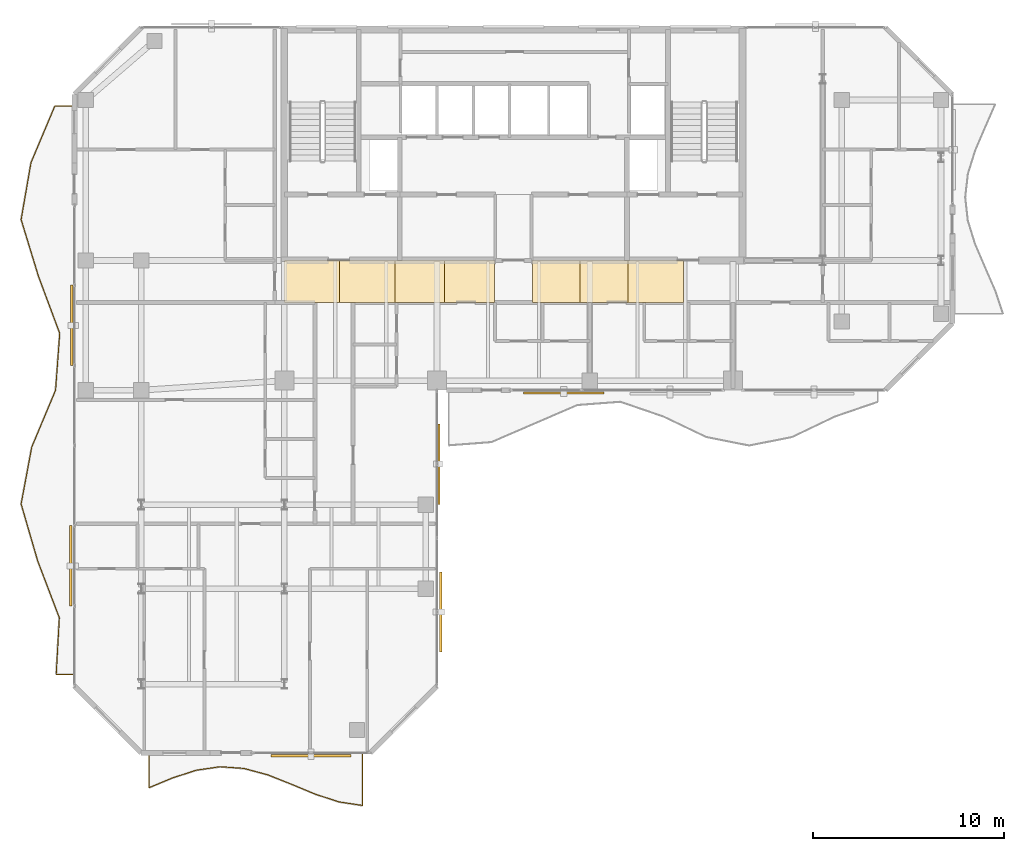
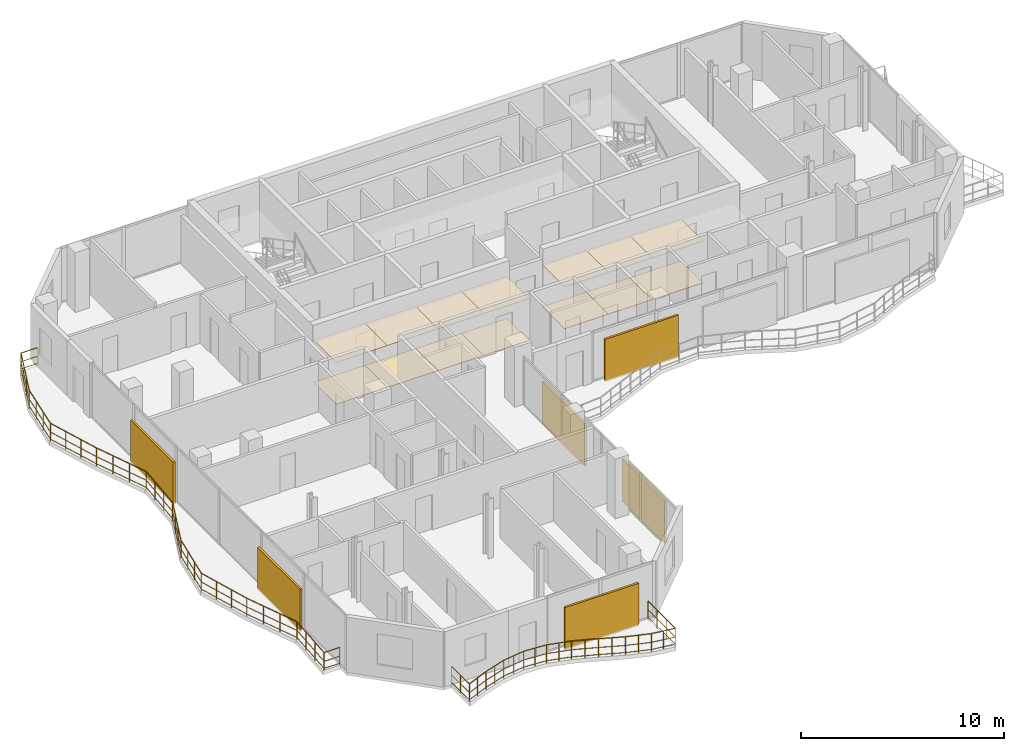
# One storey, part 22 of 24: 14 coverings, 6 shading devices, 2 railings.
"""IFC4 building model written with IfcOpenShell, lengths in metres."""

from ifc_helpers import new_model, si_unit, direction, frame, origin, origin_2d, place, context, subcontext, project, spatial, polyline, rectangle, circle, outline, extrude, material, layer, layer_set, type_object, element, save


model = new_model("IFC4")

# Units and contexts
model_context = context("Model", 3, precision=1e-05, world=origin(), true_north=direction((0.0, 1.0)))
body_context = subcontext(model_context, "Body", "Model", "MODEL_VIEW")
ifc_project = project(units=[si_unit("LENGTHUNIT", "METRE"), si_unit("AREAUNIT", "SQUARE_METRE"), si_unit("VOLUMEUNIT", "CUBIC_METRE"), si_unit("PLANEANGLEUNIT", "RADIAN"), si_unit("MASSUNIT", "GRAM", prefix="KILO")], contexts=[model_context])

# Site, building, storey
site_placement = place(None, origin())
site = spatial("IfcSite", under=ifc_project, at=site_placement, CompositionType="ELEMENT")
building_placement = place(site_placement, origin())
building = spatial("IfcBuilding", under=site, at=building_placement, Name="Catumbela Crestline Tower", CompositionType="ELEMENT")
storey_placement = place(building_placement, frame((0.0, 0.0, 161.4)))
storey = spatial("IfcBuildingStorey", under=building, at=storey_placement, Name="L41", CompositionType="ELEMENT", Elevation=161.4)

# Coverings
ifc_material_1 = material(Name="Mineral-fibre acoustic ceiling")
ifc_layer_1 = layer(ifc_material_1, 0.03, Name="Mineral-fibre acoustic ceiling")
ifc_layer_set_1 = layer_set([ifc_layer_1], Name="Mineral-fibre acoustic ceiling")
covering_type_1 = type_object("IfcCoveringType", Name="CC-AC", PredefinedType="CEILING", material=ifc_layer_set_1)
covering_1_placement = place(storey_placement, frame((0.0, 0.0, 2.52)))
element("IfcCovering", 1, at=covering_1_placement, inside=storey, type_object=covering_type_1, Name="L41 Corridor Acoustic Ceiling Bay 1", PredefinedType="CEILING", context=body_context, shape_type="SweptSolid", body=[
    extrude(outline(polyline([(16.0, 28.6), (18.9, 28.6), (18.9, 30.8), (16.0, 30.8), (16.0, 28.6)])), origin(), (0.0, 0.0, 1.0), 0.03),
])
covering_2_placement = place(storey_placement, frame((0.0, 0.0, 2.52)))
element("IfcCovering", 2, at=covering_2_placement, inside=storey, type_object=covering_type_1, Name="L41 Corridor Acoustic Ceiling Bay 2", PredefinedType="CEILING", context=body_context, shape_type="SweptSolid", body=[
    extrude(outline(polyline([(18.9, 28.6), (21.8, 28.6), (21.8, 30.8), (18.9, 30.8), (18.9, 28.6)])), origin(), (0.0, 0.0, 1.0), 0.03),
])
covering_3_placement = place(storey_placement, frame((0.0, 0.0, 2.52)))
element("IfcCovering", 3, at=covering_3_placement, inside=storey, type_object=covering_type_1, Name="L41 Corridor Acoustic Ceiling Bay 3", PredefinedType="CEILING", context=body_context, shape_type="SweptSolid", body=[
    extrude(outline(polyline([(21.8, 28.6), (24.4, 28.6), (24.4, 30.8), (21.8, 30.8), (21.8, 28.6)])), origin(), (0.0, 0.0, 1.0), 0.03),
])
covering_4_placement = place(storey_placement, frame((0.0, 0.0, 2.52)))
element("IfcCovering", 4, at=covering_4_placement, inside=storey, type_object=covering_type_1, Name="L41 Corridor Acoustic Ceiling Bay 4", PredefinedType="CEILING", context=body_context, shape_type="SweptSolid", body=[
    extrude(outline(polyline([(24.4, 28.6), (27.0, 28.6), (27.0, 30.8), (24.4, 30.8), (24.4, 28.6)])), origin(), (0.0, 0.0, 1.0), 0.03),
])
covering_5_placement = place(storey_placement, frame((0.0, 0.0, 2.52)))
element("IfcCovering", 5, at=covering_5_placement, inside=storey, type_object=covering_type_1, Name="L41 Corridor Acoustic Ceiling Bay 5", PredefinedType="CEILING", context=body_context, shape_type="SweptSolid", body=[
    extrude(outline(polyline([(29.0, 28.6), (31.5, 28.6), (31.5, 30.8), (29.0, 30.8), (29.0, 28.6)])), origin(), (0.0, 0.0, 1.0), 0.03),
])
covering_6_placement = place(storey_placement, frame((0.0, 0.0, 2.52)))
element("IfcCovering", 6, at=covering_6_placement, inside=storey, type_object=covering_type_1, Name="L41 Corridor Acoustic Ceiling Bay 6", PredefinedType="CEILING", context=body_context, shape_type="SweptSolid", body=[
    extrude(outline(polyline([(31.5, 28.6), (34.0, 28.6), (34.0, 30.8), (31.5, 30.8), (31.5, 28.6)])), origin(), (0.0, 0.0, 1.0), 0.03),
])
covering_7_placement = place(storey_placement, frame((0.0, 0.0, 2.52)))
element("IfcCovering", 7, at=covering_7_placement, inside=storey, type_object=covering_type_1, Name="L41 Corridor Acoustic Ceiling Bay 7", PredefinedType="CEILING", context=body_context, shape_type="SweptSolid", body=[
    extrude(outline(polyline([(34.0, 28.6), (36.9, 28.6), (36.9, 30.8), (34.0, 30.8), (34.0, 28.6)])), origin(), (0.0, 0.0, 1.0), 0.03),
])
ifc_material_2 = material(Name="Angolan grey-ochre granite", Category="masonry")
ifc_layer_2 = layer(ifc_material_2, 0.025, Name="Angolan grey-ochre granite")
ifc_layer_set_2 = layer_set([ifc_layer_2], Name="Angolan grey-ochre granite")
covering_type_2 = type_object("IfcCoveringType", Name="CF-GR", PredefinedType="FLOORING", material=ifc_layer_set_2)
covering_8_placement = place(storey_placement, origin())
element("IfcCovering", 8, at=covering_8_placement, inside=storey, type_object=covering_type_2, Name="L41 Corridor Granite Flooring Bay 1", PredefinedType="FLOORING", context=body_context, shape_type="SweptSolid", body=[
    extrude(outline(polyline([(16.0, 28.6), (18.9, 28.6), (18.9, 30.8), (16.0, 30.8), (16.0, 28.6)])), origin(), (0.0, 0.0, 1.0), 0.025),
])
covering_9_placement = place(storey_placement, origin())
element("IfcCovering", 9, at=covering_9_placement, inside=storey, type_object=covering_type_2, Name="L41 Corridor Granite Flooring Bay 2", PredefinedType="FLOORING", context=body_context, shape_type="SweptSolid", body=[
    extrude(outline(polyline([(18.9, 28.6), (21.8, 28.6), (21.8, 30.8), (18.9, 30.8), (18.9, 28.6)])), origin(), (0.0, 0.0, 1.0), 0.025),
])
covering_10_placement = place(storey_placement, origin())
element("IfcCovering", 10, at=covering_10_placement, inside=storey, type_object=covering_type_2, Name="L41 Corridor Granite Flooring Bay 3", PredefinedType="FLOORING", context=body_context, shape_type="SweptSolid", body=[
    extrude(outline(polyline([(21.8, 28.6), (24.4, 28.6), (24.4, 30.8), (21.8, 30.8), (21.8, 28.6)])), origin(), (0.0, 0.0, 1.0), 0.025),
])
covering_11_placement = place(storey_placement, origin())
element("IfcCovering", 11, at=covering_11_placement, inside=storey, type_object=covering_type_2, Name="L41 Corridor Granite Flooring Bay 4", PredefinedType="FLOORING", context=body_context, shape_type="SweptSolid", body=[
    extrude(outline(polyline([(24.4, 28.6), (27.0, 28.6), (27.0, 30.8), (24.4, 30.8), (24.4, 28.6)])), origin(), (0.0, 0.0, 1.0), 0.025),
])
covering_12_placement = place(storey_placement, origin())
element("IfcCovering", 12, at=covering_12_placement, inside=storey, type_object=covering_type_2, Name="L41 Corridor Granite Flooring Bay 5", PredefinedType="FLOORING", context=body_context, shape_type="SweptSolid", body=[
    extrude(outline(polyline([(29.0, 28.6), (31.5, 28.6), (31.5, 30.8), (29.0, 30.8), (29.0, 28.6)])), origin(), (0.0, 0.0, 1.0), 0.025),
])
covering_13_placement = place(storey_placement, origin())
element("IfcCovering", 13, at=covering_13_placement, inside=storey, type_object=covering_type_2, Name="L41 Corridor Granite Flooring Bay 6", PredefinedType="FLOORING", context=body_context, shape_type="SweptSolid", body=[
    extrude(outline(polyline([(31.5, 28.6), (34.0, 28.6), (34.0, 30.8), (31.5, 30.8), (31.5, 28.6)])), origin(), (0.0, 0.0, 1.0), 0.025),
])
covering_14_placement = place(storey_placement, origin())
element("IfcCovering", 14, at=covering_14_placement, inside=storey, type_object=covering_type_2, Name="L41 Corridor Granite Flooring Bay 7", PredefinedType="FLOORING", context=body_context, shape_type="SweptSolid", body=[
    extrude(outline(polyline([(34.0, 28.6), (36.9, 28.6), (36.9, 30.8), (34.0, 30.8), (34.0, 28.6)])), origin(), (0.0, 0.0, 1.0), 0.025),
])

# Railings
ifc_material_3 = material(Name="Stainless steel EN 1.4401", Category="steel")
railing_type = type_object("IfcRailingType", Name="RB-1100", PredefinedType="BALUSTRADE", material=ifc_material_3)
railing_1_placement = place(storey_placement, frame((8.9, 4.94, 0.0)))
element("IfcRailing", 15, at=railing_1_placement, inside=storey, type_object=railing_type, Name="L41 Private Wave Balcony Balustrade 3", PredefinedType="BALUSTRADE", context=body_context, shape_type="SweptSolid", body=[
    extrude(circle(Radius=0.024, at=origin_2d()), frame((0.0, 0.0, 1.076), z_axis=(0.0, -1.0, 0.0), x_axis=(1.0, 0.0, 0.0)), (0.0, 0.0, 1.0), 1.7666),
    extrude(circle(Radius=0.0156, at=origin_2d()), frame((0.0, 0.0, 0.55), z_axis=(0.0, -1.0, 0.0), x_axis=(1.0, 0.0, 0.0)), (0.0, 0.0, 1.0), 1.7666),
    extrude(circle(Radius=0.0156, at=origin_2d()), frame((0.0, 0.0, 0.12), z_axis=(0.0, -1.0, 0.0), x_axis=(1.0, 0.0, 0.0)), (0.0, 0.0, 1.0), 1.7666),
    extrude(circle(Radius=0.024, at=origin_2d()), frame((0.0, -1.7666, 1.076), z_axis=(0.923287517011, 0.384109568914, 0.0), x_axis=(-0.384109568914, 0.923287517011, 0.0)), (0.0, 0.0, 1.0), 1.3478),
    extrude(circle(Radius=0.0156, at=origin_2d()), frame((0.0, -1.7666, 0.55), z_axis=(0.923287517011, 0.384109568914, 0.0), x_axis=(-0.384109568914, 0.923287517011, 0.0)), (0.0, 0.0, 1.0), 1.3478),
    extrude(circle(Radius=0.0156, at=origin_2d()), frame((0.0, -1.7666, 0.12), z_axis=(0.923287517011, 0.384109568914, 0.0), x_axis=(-0.384109568914, 0.923287517011, 0.0)), (0.0, 0.0, 1.0), 1.3478),
    extrude(circle(Radius=0.024, at=origin_2d()), frame((1.2444, -1.2489, 1.076), z_axis=(0.951339765212, 0.30814388056, 0.0), x_axis=(-0.30814388056, 0.951339765212, 0.0)), (0.0, 0.0, 1.0), 1.3082),
    extrude(circle(Radius=0.0156, at=origin_2d()), frame((1.2444, -1.2489, 0.55), z_axis=(0.951339765212, 0.30814388056, 0.0), x_axis=(-0.30814388056, 0.951339765212, 0.0)), (0.0, 0.0, 1.0), 1.3082),
    extrude(circle(Radius=0.0156, at=origin_2d()), frame((1.2444, -1.2489, 0.12), z_axis=(0.951339765212, 0.30814388056, 0.0), x_axis=(-0.30814388056, 0.951339765212, 0.0)), (0.0, 0.0, 1.0), 1.3082),
    extrude(circle(Radius=0.024, at=origin_2d()), frame((2.4889, -0.8458, 1.076), z_axis=(0.989530142127, 0.144326358724, 0.0), x_axis=(-0.144326358724, 0.989530142127, 0.0)), (0.0, 0.0, 1.0), 1.2576),
    extrude(circle(Radius=0.0156, at=origin_2d()), frame((2.4889, -0.8458, 0.55), z_axis=(0.989530142127, 0.144326358724, 0.0), x_axis=(-0.144326358724, 0.989530142127, 0.0)), (0.0, 0.0, 1.0), 1.2576),
    extrude(circle(Radius=0.0156, at=origin_2d()), frame((2.4889, -0.8458, 0.12), z_axis=(0.989530142127, 0.144326358724, 0.0), x_axis=(-0.144326358724, 0.989530142127, 0.0)), (0.0, 0.0, 1.0), 1.2576),
    extrude(circle(Radius=0.024, at=origin_2d()), frame((3.7333, -0.6643, 1.076), z_axis=(0.997492357437, -0.070774266904, 0.0), x_axis=(0.070774266904, 0.997492357437, 0.0)), (0.0, 0.0, 1.0), 1.2476),
    extrude(circle(Radius=0.0156, at=origin_2d()), frame((3.7333, -0.6643, 0.55), z_axis=(0.997492357437, -0.070774266904, 0.0), x_axis=(0.070774266904, 0.997492357437, 0.0)), (0.0, 0.0, 1.0), 1.2476),
    extrude(circle(Radius=0.0156, at=origin_2d()), frame((3.7333, -0.6643, 0.12), z_axis=(0.997492357437, -0.070774266904, 0.0), x_axis=(0.070774266904, 0.997492357437, 0.0)), (0.0, 0.0, 1.0), 1.2476),
    extrude(circle(Radius=0.024, at=origin_2d()), frame((4.9778, -0.7526, 1.076), z_axis=(0.965699627177, -0.259661760892, 0.0), x_axis=(0.259661760892, 0.965699627177, 0.0)), (0.0, 0.0, 1.0), 1.2886),
    extrude(circle(Radius=0.0156, at=origin_2d()), frame((4.9778, -0.7526, 0.55), z_axis=(0.965699627177, -0.259661760892, 0.0), x_axis=(0.259661760892, 0.965699627177, 0.0)), (0.0, 0.0, 1.0), 1.2886),
    extrude(circle(Radius=0.0156, at=origin_2d()), frame((4.9778, -0.7526, 0.12), z_axis=(0.965699627177, -0.259661760892, 0.0), x_axis=(0.259661760892, 0.965699627177, 0.0)), (0.0, 0.0, 1.0), 1.2886),
    extrude(circle(Radius=0.024, at=origin_2d()), frame((6.2222, -1.0872, 1.076), z_axis=(0.929938140498, -0.36771599754, 0.0), x_axis=(0.36771599754, 0.929938140498, 0.0)), (0.0, 0.0, 1.0), 1.3383),
    extrude(circle(Radius=0.0156, at=origin_2d()), frame((6.2222, -1.0872, 0.55), z_axis=(0.929938140498, -0.36771599754, 0.0), x_axis=(0.36771599754, 0.929938140498, 0.0)), (0.0, 0.0, 1.0), 1.3383),
    extrude(circle(Radius=0.0156, at=origin_2d()), frame((6.2222, -1.0872, 0.12), z_axis=(0.929938140498, -0.36771599754, 0.0), x_axis=(0.36771599754, 0.929938140498, 0.0)), (0.0, 0.0, 1.0), 1.3383),
    extrude(circle(Radius=0.024, at=origin_2d()), frame((7.4667, -1.5793, 1.076), z_axis=(0.92299790371, -0.38480497625, 0.0), x_axis=(0.38480497625, 0.92299790371, 0.0)), (0.0, 0.0, 1.0), 1.3482),
    extrude(circle(Radius=0.0156, at=origin_2d()), frame((7.4667, -1.5793, 0.55), z_axis=(0.92299790371, -0.38480497625, 0.0), x_axis=(0.38480497625, 0.92299790371, 0.0)), (0.0, 0.0, 1.0), 1.3482),
    extrude(circle(Radius=0.0156, at=origin_2d()), frame((7.4667, -1.5793, 0.12), z_axis=(0.92299790371, -0.38480497625, 0.0), x_axis=(0.38480497625, 0.92299790371, 0.0)), (0.0, 0.0, 1.0), 1.3482),
    extrude(circle(Radius=0.024, at=origin_2d()), frame((8.7111, -2.0981, 1.076), z_axis=(0.950282150151, -0.311390165393, 0.0), x_axis=(0.311390165393, 0.950282150151, 0.0)), (0.0, 0.0, 1.0), 1.3096),
    extrude(circle(Radius=0.0156, at=origin_2d()), frame((8.7111, -2.0981, 0.55), z_axis=(0.950282150151, -0.311390165393, 0.0), x_axis=(0.311390165393, 0.950282150151, 0.0)), (0.0, 0.0, 1.0), 1.3096),
    extrude(circle(Radius=0.0156, at=origin_2d()), frame((8.7111, -2.0981, 0.12), z_axis=(0.950282150151, -0.311390165393, 0.0), x_axis=(0.311390165393, 0.950282150151, 0.0)), (0.0, 0.0, 1.0), 1.3096),
    extrude(circle(Radius=0.024, at=origin_2d()), frame((9.9556, -2.5059, 1.076), z_axis=(0.98873261545, -0.149692401761, 0.0), x_axis=(0.149692401761, 0.98873261545, 0.0)), (0.0, 0.0, 1.0), 1.2586),
    extrude(circle(Radius=0.0156, at=origin_2d()), frame((9.9556, -2.5059, 0.55), z_axis=(0.98873261545, -0.149692401761, 0.0), x_axis=(0.149692401761, 0.98873261545, 0.0)), (0.0, 0.0, 1.0), 1.2586),
    extrude(circle(Radius=0.0156, at=origin_2d()), frame((9.9556, -2.5059, 0.12), z_axis=(0.98873261545, -0.149692401761, 0.0), x_axis=(0.149692401761, 0.98873261545, 0.0)), (0.0, 0.0, 1.0), 1.2586),
    extrude(circle(Radius=0.024, at=origin_2d()), frame((11.2, -2.6943, 1.076), z_axis=(0.0, 1.0, 0.0), x_axis=(-1.0, 0.0, 0.0)), (0.0, 0.0, 1.0), 2.6943),
    extrude(circle(Radius=0.0156, at=origin_2d()), frame((11.2, -2.6943, 0.55), z_axis=(0.0, 1.0, 0.0), x_axis=(-1.0, 0.0, 0.0)), (0.0, 0.0, 1.0), 2.6943),
    extrude(circle(Radius=0.0156, at=origin_2d()), frame((11.2, -2.6943, 0.12), z_axis=(0.0, 1.0, 0.0), x_axis=(-1.0, 0.0, 0.0)), (0.0, 0.0, 1.0), 2.6943),
    extrude(circle(Radius=0.021, at=origin_2d()), origin(), (0.0, 0.0, 1.0), 1.052),
    extrude(circle(Radius=0.021, at=origin_2d()), frame((0.0, -0.8833, 0.0)), (0.0, 0.0, 1.0), 1.052),
    extrude(circle(Radius=0.021, at=origin_2d()), frame((0.0, -1.7666, 0.0)), (0.0, 0.0, 1.0), 1.052),
    extrude(circle(Radius=0.021, at=origin_2d()), frame((0.6222, -1.5078, 0.0)), (0.0, 0.0, 1.0), 1.052),
    extrude(circle(Radius=0.021, at=origin_2d()), frame((1.2444, -1.2489, 0.0)), (0.0, 0.0, 1.0), 1.052),
    extrude(circle(Radius=0.021, at=origin_2d()), frame((1.8666, -1.0474, 0.0)), (0.0, 0.0, 1.0), 1.052),
    extrude(circle(Radius=0.021, at=origin_2d()), frame((2.4889, -0.8458, 0.0)), (0.0, 0.0, 1.0), 1.052),
    extrude(circle(Radius=0.021, at=origin_2d()), frame((3.1111, -0.7551, 0.0)), (0.0, 0.0, 1.0), 1.052),
    extrude(circle(Radius=0.021, at=origin_2d()), frame((3.7333, -0.6643, 0.0)), (0.0, 0.0, 1.0), 1.052),
    extrude(circle(Radius=0.021, at=origin_2d()), frame((4.3556, -0.7085, 0.0)), (0.0, 0.0, 1.0), 1.052),
    extrude(circle(Radius=0.021, at=origin_2d()), frame((4.9778, -0.7526, 0.0)), (0.0, 0.0, 1.0), 1.052),
    extrude(circle(Radius=0.021, at=origin_2d()), frame((5.6, -0.9199, 0.0)), (0.0, 0.0, 1.0), 1.052),
    extrude(circle(Radius=0.021, at=origin_2d()), frame((6.2222, -1.0872, 0.0)), (0.0, 0.0, 1.0), 1.052),
    extrude(circle(Radius=0.021, at=origin_2d()), frame((6.8444, -1.3333, 0.0)), (0.0, 0.0, 1.0), 1.052),
    extrude(circle(Radius=0.021, at=origin_2d()), frame((7.4667, -1.5793, 0.0)), (0.0, 0.0, 1.0), 1.052),
    extrude(circle(Radius=0.021, at=origin_2d()), frame((8.0889, -1.8387, 0.0)), (0.0, 0.0, 1.0), 1.052),
    extrude(circle(Radius=0.021, at=origin_2d()), frame((8.7111, -2.0981, 0.0)), (0.0, 0.0, 1.0), 1.052),
    extrude(circle(Radius=0.021, at=origin_2d()), frame((9.3334, -2.302, 0.0)), (0.0, 0.0, 1.0), 1.052),
    extrude(circle(Radius=0.021, at=origin_2d()), frame((9.9556, -2.5059, 0.0)), (0.0, 0.0, 1.0), 1.052),
    extrude(circle(Radius=0.021, at=origin_2d()), frame((10.5778, -2.6001, 0.0)), (0.0, 0.0, 1.0), 1.052),
    extrude(circle(Radius=0.021, at=origin_2d()), frame((11.2, -2.6943, 0.0)), (0.0, 0.0, 1.0), 1.052),
    extrude(circle(Radius=0.021, at=origin_2d()), frame((11.2, -1.7962, 0.0)), (0.0, 0.0, 1.0), 1.052),
    extrude(circle(Radius=0.021, at=origin_2d()), frame((11.2, -0.8981, 0.0)), (0.0, 0.0, 1.0), 1.052),
    extrude(circle(Radius=0.021, at=origin_2d()), frame((11.2, 0.0, 0.0)), (0.0, 0.0, 1.0), 1.052),
])
railing_2_placement = place(storey_placement, frame((4.94, 38.9, 0.0)))
element("IfcRailing", 16, at=railing_2_placement, inside=storey, type_object=railing_type, Name="L41 Private Wave Balcony Balustrade 4", PredefinedType="BALUSTRADE", context=body_context, shape_type="SweptSolid", body=[
    extrude(circle(Radius=0.024, at=origin_2d()), frame((0.0, 0.0, 1.076), z_axis=(-1.0, 0.0, 0.0), x_axis=(0.0, -1.0, 0.0)), (0.0, 0.0, 1.0), 0.9588),
    extrude(circle(Radius=0.0156, at=origin_2d()), frame((0.0, 0.0, 0.55), z_axis=(-1.0, 0.0, 0.0), x_axis=(0.0, -1.0, 0.0)), (0.0, 0.0, 1.0), 0.9588),
    extrude(circle(Radius=0.0156, at=origin_2d()), frame((0.0, 0.0, 0.12), z_axis=(-1.0, 0.0, 0.0), x_axis=(0.0, -1.0, 0.0)), (0.0, 0.0, 1.0), 0.9588),
    extrude(circle(Radius=0.024, at=origin_2d()), frame((-0.9588, 0.0, 1.076), z_axis=(-0.388126128532, -0.92160626536, 0.0), x_axis=(0.92160626536, -0.388126128532, 0.0)), (0.0, 0.0, 1.0), 3.2335),
    extrude(circle(Radius=0.0156, at=origin_2d()), frame((-0.9588, 0.0, 0.55), z_axis=(-0.388126128532, -0.92160626536, 0.0), x_axis=(0.92160626536, -0.388126128532, 0.0)), (0.0, 0.0, 1.0), 3.2335),
    extrude(circle(Radius=0.0156, at=origin_2d()), frame((-0.9588, 0.0, 0.12), z_axis=(-0.388126128532, -0.92160626536, 0.0), x_axis=(0.92160626536, -0.388126128532, 0.0)), (0.0, 0.0, 1.0), 3.2335),
    extrude(circle(Radius=0.024, at=origin_2d()), frame((-2.2138, -2.98, 1.076), z_axis=(-0.170679721807, -0.985326561381, 0.0), x_axis=(0.985326561381, -0.170679721807, 0.0)), (0.0, 0.0, 1.0), 3.0244),
    extrude(circle(Radius=0.0156, at=origin_2d()), frame((-2.2138, -2.98, 0.55), z_axis=(-0.170679721807, -0.985326561381, 0.0), x_axis=(0.985326561381, -0.170679721807, 0.0)), (0.0, 0.0, 1.0), 3.0244),
    extrude(circle(Radius=0.0156, at=origin_2d()), frame((-2.2138, -2.98, 0.12), z_axis=(-0.170679721807, -0.985326561381, 0.0), x_axis=(0.985326561381, -0.170679721807, 0.0)), (0.0, 0.0, 1.0), 3.0244),
    extrude(circle(Radius=0.024, at=origin_2d()), frame((-2.73, -5.96, 1.076), z_axis=(0.292642421553, -0.956221947619, 0.0), x_axis=(0.956221947619, 0.292642421553, 0.0)), (0.0, 0.0, 1.0), 3.1164),
    extrude(circle(Radius=0.0156, at=origin_2d()), frame((-2.73, -5.96, 0.55), z_axis=(0.292642421553, -0.956221947619, 0.0), x_axis=(0.956221947619, 0.292642421553, 0.0)), (0.0, 0.0, 1.0), 3.1164),
    extrude(circle(Radius=0.0156, at=origin_2d()), frame((-2.73, -5.96, 0.12), z_axis=(0.292642421553, -0.956221947619, 0.0), x_axis=(0.956221947619, 0.292642421553, 0.0)), (0.0, 0.0, 1.0), 3.1164),
    extrude(circle(Radius=0.024, at=origin_2d()), frame((-1.818, -8.94, 1.076), z_axis=(0.349110106043, -0.93708171141, 0.0), x_axis=(0.93708171141, 0.349110106043, 0.0)), (0.0, 0.0, 1.0), 3.1801),
    extrude(circle(Radius=0.0156, at=origin_2d()), frame((-1.818, -8.94, 0.55), z_axis=(0.349110106043, -0.93708171141, 0.0), x_axis=(0.93708171141, 0.349110106043, 0.0)), (0.0, 0.0, 1.0), 3.1801),
    extrude(circle(Radius=0.0156, at=origin_2d()), frame((-1.818, -8.94, 0.12), z_axis=(0.349110106043, -0.93708171141, 0.0), x_axis=(0.93708171141, 0.349110106043, 0.0)), (0.0, 0.0, 1.0), 3.1801),
    extrude(circle(Radius=0.024, at=origin_2d()), frame((-0.7078, -11.92, 1.076), z_axis=(-0.072926109992, -0.997337346379, 0.0), x_axis=(0.997337346379, -0.072926109992, 0.0)), (0.0, 0.0, 1.0), 2.988),
    extrude(circle(Radius=0.0156, at=origin_2d()), frame((-0.7078, -11.92, 0.55), z_axis=(-0.072926109992, -0.997337346379, 0.0), x_axis=(0.997337346379, -0.072926109992, 0.0)), (0.0, 0.0, 1.0), 2.988),
    extrude(circle(Radius=0.0156, at=origin_2d()), frame((-0.7078, -11.92, 0.12), z_axis=(-0.072926109992, -0.997337346379, 0.0), x_axis=(0.997337346379, -0.072926109992, 0.0)), (0.0, 0.0, 1.0), 2.988),
    extrude(circle(Radius=0.024, at=origin_2d()), frame((-0.9257, -14.9, 1.076), z_axis=(-0.386364078841, -0.922346355, 0.0), x_axis=(0.922346355, -0.386364078841, 0.0)), (0.0, 0.0, 1.0), 3.2309),
    extrude(circle(Radius=0.0156, at=origin_2d()), frame((-0.9257, -14.9, 0.55), z_axis=(-0.386364078841, -0.922346355, 0.0), x_axis=(0.922346355, -0.386364078841, 0.0)), (0.0, 0.0, 1.0), 3.2309),
    extrude(circle(Radius=0.0156, at=origin_2d()), frame((-0.9257, -14.9, 0.12), z_axis=(-0.386364078841, -0.922346355, 0.0), x_axis=(0.922346355, -0.386364078841, 0.0)), (0.0, 0.0, 1.0), 3.2309),
    extrude(circle(Radius=0.024, at=origin_2d()), frame((-2.174, -17.88, 1.076), z_axis=(-0.183412106948, -0.983036112778, 0.0), x_axis=(0.983036112778, -0.183412106948, 0.0)), (0.0, 0.0, 1.0), 3.0314),
    extrude(circle(Radius=0.0156, at=origin_2d()), frame((-2.174, -17.88, 0.55), z_axis=(-0.183412106948, -0.983036112778, 0.0), x_axis=(0.983036112778, -0.183412106948, 0.0)), (0.0, 0.0, 1.0), 3.0314),
    extrude(circle(Radius=0.0156, at=origin_2d()), frame((-2.174, -17.88, 0.12), z_axis=(-0.183412106948, -0.983036112778, 0.0), x_axis=(0.983036112778, -0.183412106948, 0.0)), (0.0, 0.0, 1.0), 3.0314),
    extrude(circle(Radius=0.024, at=origin_2d()), frame((-2.73, -20.86, 1.076), z_axis=(0.279445663044, -0.96016150798, 0.0), x_axis=(0.96016150798, 0.279445663044, 0.0)), (0.0, 0.0, 1.0), 3.1036),
    extrude(circle(Radius=0.0156, at=origin_2d()), frame((-2.73, -20.86, 0.55), z_axis=(0.279445663044, -0.96016150798, 0.0), x_axis=(0.96016150798, 0.279445663044, 0.0)), (0.0, 0.0, 1.0), 3.1036),
    extrude(circle(Radius=0.0156, at=origin_2d()), frame((-2.73, -20.86, 0.12), z_axis=(0.279445663044, -0.96016150798, 0.0), x_axis=(0.96016150798, 0.279445663044, 0.0)), (0.0, 0.0, 1.0), 3.1036),
    extrude(circle(Radius=0.024, at=origin_2d()), frame((-1.8627, -23.84, 1.076), z_axis=(0.355738394707, -0.93458557368, 0.0), x_axis=(0.93458557368, 0.355738394707, 0.0)), (0.0, 0.0, 1.0), 3.1886),
    extrude(circle(Radius=0.0156, at=origin_2d()), frame((-1.8627, -23.84, 0.55), z_axis=(0.355738394707, -0.93458557368, 0.0), x_axis=(0.93458557368, 0.355738394707, 0.0)), (0.0, 0.0, 1.0), 3.1886),
    extrude(circle(Radius=0.0156, at=origin_2d()), frame((-1.8627, -23.84, 0.12), z_axis=(0.355738394707, -0.93458557368, 0.0), x_axis=(0.93458557368, 0.355738394707, 0.0)), (0.0, 0.0, 1.0), 3.1886),
    extrude(circle(Radius=0.024, at=origin_2d()), frame((-0.7284, -26.82, 1.076), z_axis=(-0.055484865065, -0.998459528348, 0.0), x_axis=(0.998459528348, -0.055484865065, 0.0)), (0.0, 0.0, 1.0), 2.9846),
    extrude(circle(Radius=0.0156, at=origin_2d()), frame((-0.7284, -26.82, 0.55), z_axis=(-0.055484865065, -0.998459528348, 0.0), x_axis=(0.998459528348, -0.055484865065, 0.0)), (0.0, 0.0, 1.0), 2.9846),
    extrude(circle(Radius=0.0156, at=origin_2d()), frame((-0.7284, -26.82, 0.12), z_axis=(-0.055484865065, -0.998459528348, 0.0), x_axis=(0.998459528348, -0.055484865065, 0.0)), (0.0, 0.0, 1.0), 2.9846),
    extrude(circle(Radius=0.024, at=origin_2d()), frame((-0.894, -29.8, 1.076), z_axis=(1.0, 0.0, 0.0), x_axis=(0.0, 1.0, 0.0)), (0.0, 0.0, 1.0), 0.894),
    extrude(circle(Radius=0.0156, at=origin_2d()), frame((-0.894, -29.8, 0.55), z_axis=(1.0, 0.0, 0.0), x_axis=(0.0, 1.0, 0.0)), (0.0, 0.0, 1.0), 0.894),
    extrude(circle(Radius=0.0156, at=origin_2d()), frame((-0.894, -29.8, 0.12), z_axis=(1.0, 0.0, 0.0), x_axis=(0.0, 1.0, 0.0)), (0.0, 0.0, 1.0), 0.894),
    extrude(circle(Radius=0.021, at=origin_2d()), origin(), (0.0, 0.0, 1.0), 1.052),
    extrude(circle(Radius=0.021, at=origin_2d()), frame((-0.9588, 0.0, 0.0)), (0.0, 0.0, 1.0), 1.052),
    extrude(circle(Radius=0.021, at=origin_2d()), frame((-1.3771, -0.9933, 0.0)), (0.0, 0.0, 1.0), 1.052),
    extrude(circle(Radius=0.021, at=origin_2d()), frame((-1.7955, -1.9867, 0.0)), (0.0, 0.0, 1.0), 1.052),
    extrude(circle(Radius=0.021, at=origin_2d()), frame((-2.2138, -2.98, 0.0)), (0.0, 0.0, 1.0), 1.052),
    extrude(circle(Radius=0.021, at=origin_2d()), frame((-2.3859, -3.9733, 0.0)), (0.0, 0.0, 1.0), 1.052),
    extrude(circle(Radius=0.021, at=origin_2d()), frame((-2.5579, -4.9667, 0.0)), (0.0, 0.0, 1.0), 1.052),
    extrude(circle(Radius=0.021, at=origin_2d()), frame((-2.73, -5.96, 0.0)), (0.0, 0.0, 1.0), 1.052),
    extrude(circle(Radius=0.021, at=origin_2d()), frame((-2.426, -6.9533, 0.0)), (0.0, 0.0, 1.0), 1.052),
    extrude(circle(Radius=0.021, at=origin_2d()), frame((-2.122, -7.9467, 0.0)), (0.0, 0.0, 1.0), 1.052),
    extrude(circle(Radius=0.021, at=origin_2d()), frame((-1.818, -8.94, 0.0)), (0.0, 0.0, 1.0), 1.052),
    extrude(circle(Radius=0.021, at=origin_2d()), frame((-1.4479, -9.9333, 0.0)), (0.0, 0.0, 1.0), 1.052),
    extrude(circle(Radius=0.021, at=origin_2d()), frame((-1.0779, -10.9267, 0.0)), (0.0, 0.0, 1.0), 1.052),
    extrude(circle(Radius=0.021, at=origin_2d()), frame((-0.7078, -11.92, 0.0)), (0.0, 0.0, 1.0), 1.052),
    extrude(circle(Radius=0.021, at=origin_2d()), frame((-0.7804, -12.9133, 0.0)), (0.0, 0.0, 1.0), 1.052),
    extrude(circle(Radius=0.021, at=origin_2d()), frame((-0.8531, -13.9067, 0.0)), (0.0, 0.0, 1.0), 1.052),
    extrude(circle(Radius=0.021, at=origin_2d()), frame((-0.9257, -14.9, 0.0)), (0.0, 0.0, 1.0), 1.052),
    extrude(circle(Radius=0.021, at=origin_2d()), frame((-1.3418, -15.8933, 0.0)), (0.0, 0.0, 1.0), 1.052),
    extrude(circle(Radius=0.021, at=origin_2d()), frame((-1.7579, -16.8867, 0.0)), (0.0, 0.0, 1.0), 1.052),
    extrude(circle(Radius=0.021, at=origin_2d()), frame((-2.174, -17.88, 0.0)), (0.0, 0.0, 1.0), 1.052),
    extrude(circle(Radius=0.021, at=origin_2d()), frame((-2.3593, -18.8733, 0.0)), (0.0, 0.0, 1.0), 1.052),
    extrude(circle(Radius=0.021, at=origin_2d()), frame((-2.5447, -19.8667, 0.0)), (0.0, 0.0, 1.0), 1.052),
    extrude(circle(Radius=0.021, at=origin_2d()), frame((-2.73, -20.86, 0.0)), (0.0, 0.0, 1.0), 1.052),
    extrude(circle(Radius=0.021, at=origin_2d()), frame((-2.4409, -21.8533, 0.0)), (0.0, 0.0, 1.0), 1.052),
    extrude(circle(Radius=0.021, at=origin_2d()), frame((-2.1518, -22.8467, 0.0)), (0.0, 0.0, 1.0), 1.052),
    extrude(circle(Radius=0.021, at=origin_2d()), frame((-1.8627, -23.84, 0.0)), (0.0, 0.0, 1.0), 1.052),
    extrude(circle(Radius=0.021, at=origin_2d()), frame((-1.4846, -24.8333, 0.0)), (0.0, 0.0, 1.0), 1.052),
    extrude(circle(Radius=0.021, at=origin_2d()), frame((-1.1065, -25.8267, 0.0)), (0.0, 0.0, 1.0), 1.052),
    extrude(circle(Radius=0.021, at=origin_2d()), frame((-0.7284, -26.82, 0.0)), (0.0, 0.0, 1.0), 1.052),
    extrude(circle(Radius=0.021, at=origin_2d()), frame((-0.7836, -27.8133, 0.0)), (0.0, 0.0, 1.0), 1.052),
    extrude(circle(Radius=0.021, at=origin_2d()), frame((-0.8388, -28.8067, 0.0)), (0.0, 0.0, 1.0), 1.052),
    extrude(circle(Radius=0.021, at=origin_2d()), frame((-0.894, -29.8, 0.0)), (0.0, 0.0, 1.0), 1.052),
    extrude(circle(Radius=0.021, at=origin_2d()), frame((0.0, -29.8, 0.0)), (0.0, 0.0, 1.0), 1.052),
])

# Shading devices
ifc_material_4 = material(Name="Extruded terracotta ceramic", Category="masonry")
shading_device_type_1 = type_object("IfcShadingDeviceType", Name="ST-180", PredefinedType="USERDEFINED", material=ifc_material_4)
shading_device_placement = place(storey_placement, frame((24.099, 20.125, -0.1), z_axis=(0.0, 0.0, 1.0), x_axis=(0.0, 1.0, 0.0)))
element("IfcShadingDevice", 17, at=shading_device_placement, inside=storey, type_object=shading_device_type_1, Name="L41 Perforated Terracotta Solar Screen 450 (180 mm)", ObjectType="SCREEN", PredefinedType="USERDEFINED", context=body_context, shape_type="SweptSolid", body=[
    extrude(rectangle(XDim=4.2, YDim=0.12, at=origin_2d()), origin(), (0.0, 0.0, 1.0), 2.55),
])
shading_device_type_2 = type_object("IfcShadingDeviceType", Name="ST-260", PredefinedType="USERDEFINED", material=ifc_material_4)
for number, where, z_axis, x_axis, name in (
    (18, (17.4, 4.857, -0.1), (0.0, 0.0, 1.0), (1.0, 0.0, 0.0), "L41 Perforated Terracotta Solar Screen 448 (260 mm)"),
    (19, (30.6375, 23.857, -0.1), (0.0, 0.0, 1.0), (1.0, 0.0, 0.0), "L41 Perforated Terracotta Solar Screen 451 (260 mm)"),
    (20, (4.857, 27.4, -0.1), (0.0, 0.0, 1.0), (0.0, -1.0, 0.0), "L41 Perforated Terracotta Solar Screen 457 (260 mm)"),
):
    element("IfcShadingDevice", number, at=place(storey_placement, frame(where, z_axis=z_axis, x_axis=x_axis)), inside=storey, type_object=shading_device_type_2, Name=name, ObjectType="SCREEN", PredefinedType="USERDEFINED", context=body_context, shape_type="SweptSolid", body=[
        extrude(rectangle(XDim=4.2, YDim=0.12, at=origin_2d()), origin(), (0.0, 0.0, 1.0), 2.55),
    ])
shading_device_type_3 = type_object("IfcShadingDeviceType", Name="ST-340", PredefinedType="USERDEFINED", material=ifc_material_4)
for number, where, z_axis, x_axis, name in (
    (21, (24.187, 12.375, -0.1), (0.0, 0.0, 1.0), (0.0, 1.0, 0.0), "L41 Perforated Terracotta Solar Screen 449 (340 mm)"),
    (22, (4.813, 14.8, -0.1), (0.0, 0.0, 1.0), (0.0, -1.0, 0.0), "L41 Perforated Terracotta Solar Screen 458 (340 mm)"),
):
    element("IfcShadingDevice", number, at=place(storey_placement, frame(where, z_axis=z_axis, x_axis=x_axis)), inside=storey, type_object=shading_device_type_3, Name=name, ObjectType="SCREEN", PredefinedType="USERDEFINED", context=body_context, shape_type="SweptSolid", body=[
        extrude(rectangle(XDim=4.2, YDim=0.12, at=origin_2d()), origin(), (0.0, 0.0, 1.0), 2.55),
    ])

save(model, "model.ifc")
